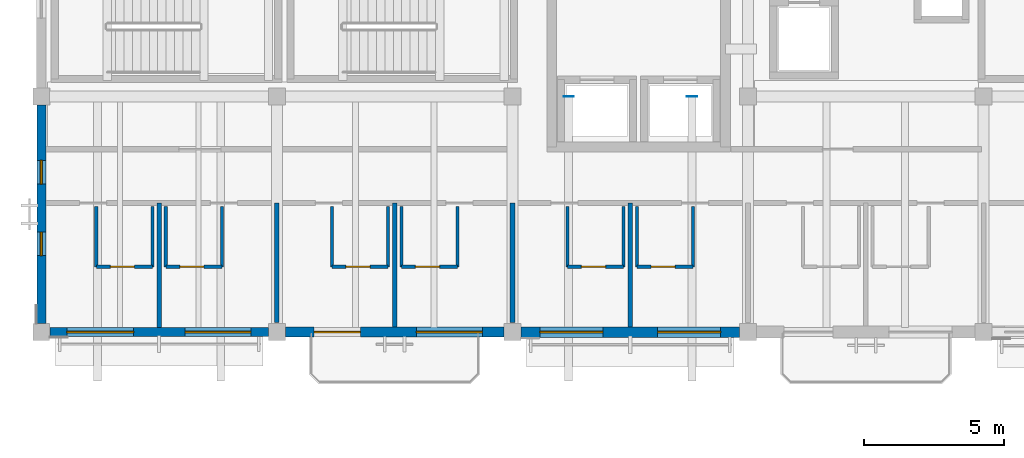
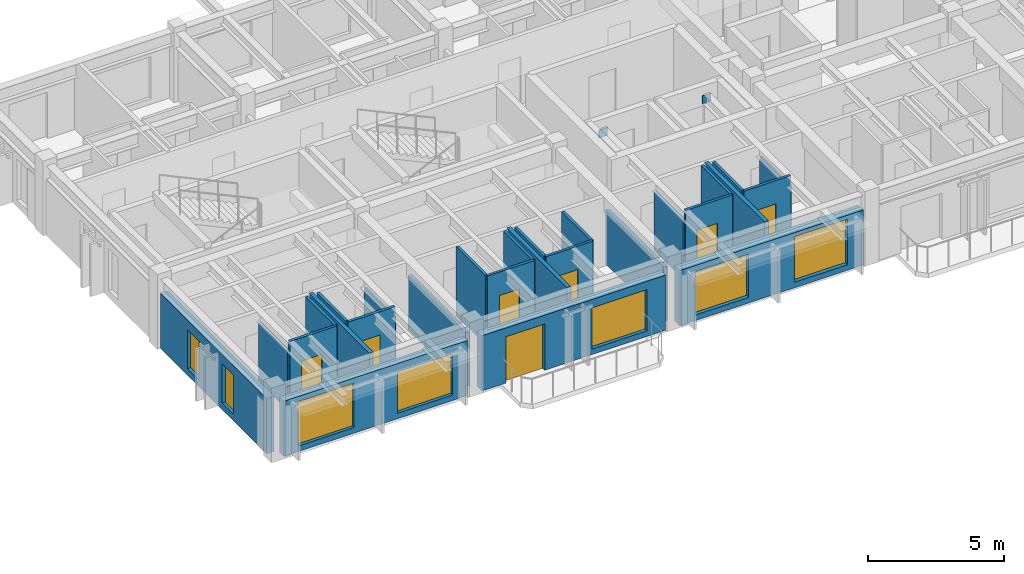
# One storey, part 12 of 31: 27 walls, 7 doors, 7 windows, 2 plates, 14 openings.
"""IFC4 building model written with IfcOpenShell, lengths in metres."""

from ifc_helpers import new_model, si_unit, direction, frame, frame_2d, origin, origin_2d, place, context, subcontext, project, spatial, rectangle, extrude, material, layer, layer_set, type_object, element, fill, save


model = new_model("IFC4")

# Units and contexts
model_context = context("Model", 3, precision=1e-05, world=origin(), true_north=direction((0.0, 1.0)))
body_context = subcontext(model_context, "Body", "Model", "MODEL_VIEW")
ifc_project = project(units=[si_unit("LENGTHUNIT", "METRE"), si_unit("AREAUNIT", "SQUARE_METRE"), si_unit("VOLUMEUNIT", "CUBIC_METRE"), si_unit("PLANEANGLEUNIT", "RADIAN"), si_unit("MASSUNIT", "GRAM", prefix="KILO")], contexts=[model_context])

# Site, building, storey
site_placement = place(None, origin())
site = spatial("IfcSite", under=ifc_project, at=site_placement, CompositionType="ELEMENT")
building_placement = place(site_placement, origin())
building = spatial("IfcBuilding", under=site, at=building_placement, Name="Cumbredor Promenade Congress Hotel", CompositionType="ELEMENT")
storey_placement = place(building_placement, frame((0.0, 0.0, 31.919921875)))
storey = spatial("IfcBuildingStorey", under=building, at=storey_placement, Name="L09", CompositionType="ELEMENT", Elevation=31.919921875)

# Plates
ifc_material_1 = material(Name="Steel ASTM A572 Grade 50", Category="steel")
ifc_layer_1 = layer(ifc_material_1, 0.028076171875, Name="Steel ASTM A572 Grade 50", Category="steel")
ifc_layer_set_1 = layer_set([ifc_layer_1], Name="Steel ASTM A572 Grade 50")
plate_type = type_object("IfcPlateType", Name="Space Frame Node Assembly ND-03", PredefinedType="USERDEFINED", material=ifc_layer_set_1)
for number, where, z_axis, x_axis, name in (
    (1, (27.199951171875, 100.800048828125, 2.6884765625), (0.0, 0.0, 1.0), (1.0, 0.0, 0.0), "L09 Outrigger Core Wall Embed Plate 062.1"),
    (2, (31.60009765625, 100.800048828125, 2.6884765625), (0.0, 0.0, 1.0), (1.0, 0.0, 0.0), "L09 Outrigger Core Wall Embed Plate 062.2"),
):
    element("IfcPlate", number, at=place(storey_placement, frame(where, z_axis=z_axis, x_axis=x_axis)), inside=storey, type_object=plate_type, Name=name, ObjectType="GUSSET PLATE", PredefinedType="USERDEFINED", context=body_context, shape_type="SweptSolid", body=[
        extrude(rectangle(XDim=0.360107421875, YDim=0.028076171875, at=origin_2d()), origin(), (0.0, 0.0, 1.0), 0.360107421875),
    ])

# Wall, opening, door
ifc_material_2 = material(Name="Moisture-resistant gypsum board on steel studs", Category="steel")
ifc_layer_2 = layer(ifc_material_2, 0.114990234375, Name="Moisture-resistant gypsum board on steel studs", Category="steel")
ifc_layer_set_2 = layer_set([ifc_layer_2], Name="Moisture-resistant gypsum board on steel studs")
wall_type_1 = type_object("IfcWallType", Name="WL-BATH-115", PredefinedType="PARTITIONING", material=ifc_layer_set_2)
wall_1_placement = place(storey_placement, frame((10.360107421875, 94.72998046875, 0.0), z_axis=(0.0, 0.0, 1.0), x_axis=(1.0, 0.0, 0.0)))
wall_1 = element("IfcWall", 3, at=wall_1_placement, inside=storey, type_object=wall_type_1, Name="L09 Interior Partition W-L09-BH-0971", PredefinedType="PARTITIONING", context=body_context, shape_type="SweptSolid", body=[
    extrude(rectangle(XDim=2.0, YDim=0.114990234375, at=frame_2d((1.0, 0.0))), origin(), (0.0, 0.0, 1.0), 3.10009765625),
])
opening_1_placement = place(wall_1_placement, frame((0.5, 0.0, 0.0)))
opening_1 = element("IfcOpeningElement", 4, at=opening_1_placement, cuts=wall_1, Name="Opening ID-01", PredefinedType="OPENING", context=body_context, shape_type="SweptSolid", body=[
    extrude(rectangle(XDim=0.860107421875, YDim=2.050048828125, at=frame_2d((0.43017578125, 1.02490234375))), frame((0.0, 0.0673828125, 0.0), z_axis=(0.0, -1.0, 0.0), x_axis=(1.0, 0.0, 0.0)), (0.0, 0.0, 1.0), 0.135009765625),
])
ifc_material_3 = material(Name="Kiln-dried tropical hardwood", Category="wood")
door_type_1 = type_object("IfcDoorType", Name="DR-BATH-860", OperationType="NOTDEFINED", PredefinedType="DOOR", material=ifc_material_3)
door_1_placement = place(opening_1_placement, origin())
door_1 = element("IfcDoor", 5, at=door_1_placement, inside=storey, type_object=door_type_1, Name="L09 Interior Door W-L09-BH-0971-01", OperationType="SINGLE_SWING_RIGHT", OverallHeight=2.050048828125, OverallWidth=0.860107421875, PredefinedType="DOOR", context=body_context, shape_type="SweptSolid", body=[
    extrude(rectangle(XDim=0.860107421875, YDim=2.050048828125, at=frame_2d((0.43017578125, 1.02490234375))), frame((0.0, 0.02490234375, 0.0), z_axis=(0.0, -1.0, 0.0), x_axis=(1.0, 0.0, 0.0)), (0.0, 0.0, 1.0), 0.050048828125),
])
fill(opening_1, door_1)

# Walls
wall_2_placement = place(storey_placement, frame((10.360107421875, 94.72998046875, 0.0), z_axis=(0.0, 0.0, 1.0), x_axis=(0.0, 1.0, 0.0)))
element("IfcWall", 6, at=wall_2_placement, inside=storey, type_object=wall_type_1, Name="L09 Interior Partition W-L09-BV1-0971", PredefinedType="PARTITIONING", context=body_context, shape_type="SweptSolid", body=[
    extrude(rectangle(XDim=2.14990234375, YDim=0.114990234375, at=frame_2d((1.074951171875, 0.0))), origin(), (0.0, 0.0, 1.0), 2.6220703125),
])
wall_3_placement = place(storey_placement, frame((12.360107421875, 94.72998046875, 0.0), z_axis=(0.0, 0.0, 1.0), x_axis=(0.0, 1.0, 0.0)))
element("IfcWall", 7, at=wall_3_placement, inside=storey, type_object=wall_type_1, Name="L09 Interior Partition W-L09-BV2-0971", PredefinedType="PARTITIONING", context=body_context, shape_type="SweptSolid", body=[
    extrude(rectangle(XDim=2.14990234375, YDim=0.114990234375, at=frame_2d((1.074951171875, 0.0))), origin(), (0.0, 0.0, 1.0), 3.10009765625),
])

# Wall, opening, door
wall_4_placement = place(storey_placement, frame((12.840087890625, 94.72998046875, 0.0), z_axis=(0.0, 0.0, 1.0), x_axis=(1.0, 0.0, 0.0)))
wall_4 = element("IfcWall", 8, at=wall_4_placement, inside=storey, type_object=wall_type_1, Name="L09 Interior Partition W-L09-BH-0972", PredefinedType="PARTITIONING", context=body_context, shape_type="SweptSolid", body=[
    extrude(rectangle(XDim=2.0, YDim=0.114990234375, at=frame_2d((1.0, 0.0))), origin(), (0.0, 0.0, 1.0), 3.10009765625),
])
opening_2_placement = place(wall_4_placement, frame((0.5, 0.0, 0.0)))
opening_2 = element("IfcOpeningElement", 9, at=opening_2_placement, cuts=wall_4, Name="Opening ID-01", PredefinedType="OPENING", context=body_context, shape_type="SweptSolid", body=[
    extrude(rectangle(XDim=0.860107421875, YDim=2.050048828125, at=frame_2d((0.43017578125, 1.02490234375))), frame((0.0, 0.0673828125, 0.0), z_axis=(0.0, -1.0, 0.0), x_axis=(1.0, 0.0, 0.0)), (0.0, 0.0, 1.0), 0.135009765625),
])
door_2_placement = place(opening_2_placement, origin())
door_2 = element("IfcDoor", 10, at=door_2_placement, inside=storey, type_object=door_type_1, Name="L09 Interior Door W-L09-BH-0972-01", OperationType="SINGLE_SWING_LEFT", OverallHeight=2.050048828125, OverallWidth=0.860107421875, PredefinedType="DOOR", context=body_context, shape_type="SweptSolid", body=[
    extrude(rectangle(XDim=0.860107421875, YDim=2.050048828125, at=frame_2d((0.43017578125, 1.02490234375))), frame((0.0, 0.02490234375, 0.0), z_axis=(0.0, -1.0, 0.0), x_axis=(1.0, 0.0, 0.0)), (0.0, 0.0, 1.0), 0.050048828125),
])
fill(opening_2, door_2)

# Walls
wall_5_placement = place(storey_placement, frame((12.840087890625, 94.72998046875, 0.0), z_axis=(0.0, 0.0, 1.0), x_axis=(0.0, 1.0, 0.0)))
element("IfcWall", 11, at=wall_5_placement, inside=storey, type_object=wall_type_1, Name="L09 Interior Partition W-L09-BV1-0972", PredefinedType="PARTITIONING", context=body_context, shape_type="SweptSolid", body=[
    extrude(rectangle(XDim=2.14990234375, YDim=0.114990234375, at=frame_2d((1.074951171875, 0.0))), origin(), (0.0, 0.0, 1.0), 3.10009765625),
])
wall_6_placement = place(storey_placement, frame((14.840087890625, 94.72998046875, 0.0), z_axis=(0.0, 0.0, 1.0), x_axis=(0.0, 1.0, 0.0)))
element("IfcWall", 12, at=wall_6_placement, inside=storey, type_object=wall_type_1, Name="L09 Interior Partition W-L09-BV2-0972", PredefinedType="PARTITIONING", context=body_context, shape_type="SweptSolid", body=[
    extrude(rectangle(XDim=2.14990234375, YDim=0.114990234375, at=frame_2d((1.074951171875, 0.0))), origin(), (0.0, 0.0, 1.0), 2.6220703125),
])

# Wall, opening, door
wall_7_placement = place(storey_placement, frame((18.760009765625, 94.72998046875, 0.0), z_axis=(0.0, 0.0, 1.0), x_axis=(1.0, 0.0, 0.0)))
wall_7 = element("IfcWall", 13, at=wall_7_placement, inside=storey, type_object=wall_type_1, Name="L09 Interior Partition W-L09-BH-0973", PredefinedType="PARTITIONING", context=body_context, shape_type="SweptSolid", body=[
    extrude(rectangle(XDim=2.0, YDim=0.114990234375, at=frame_2d((1.0, 0.0))), origin(), (0.0, 0.0, 1.0), 3.10009765625),
])
opening_3_placement = place(wall_7_placement, frame((0.5, 0.0, 0.0)))
opening_3 = element("IfcOpeningElement", 14, at=opening_3_placement, cuts=wall_7, Name="Opening ID-01", PredefinedType="OPENING", context=body_context, shape_type="SweptSolid", body=[
    extrude(rectangle(XDim=0.860107421875, YDim=2.050048828125, at=frame_2d((0.43017578125, 1.02490234375))), frame((0.0, 0.0673828125, 0.0), z_axis=(0.0, -1.0, 0.0), x_axis=(1.0, 0.0, 0.0)), (0.0, 0.0, 1.0), 0.135009765625),
])
door_3_placement = place(opening_3_placement, origin())
door_3 = element("IfcDoor", 15, at=door_3_placement, inside=storey, type_object=door_type_1, Name="L09 Interior Door W-L09-BH-0973-01", OperationType="SINGLE_SWING_RIGHT", OverallHeight=2.050048828125, OverallWidth=0.860107421875, PredefinedType="DOOR", context=body_context, shape_type="SweptSolid", body=[
    extrude(rectangle(XDim=0.860107421875, YDim=2.050048828125, at=frame_2d((0.43017578125, 1.02490234375))), frame((0.0, 0.02490234375, 0.0), z_axis=(0.0, -1.0, 0.0), x_axis=(1.0, 0.0, 0.0)), (0.0, 0.0, 1.0), 0.050048828125),
])
fill(opening_3, door_3)

# Walls
for number, where, z_axis, x_axis, name in (
    (16, (18.760009765625, 94.72998046875, 0.0), (0.0, 0.0, 1.0), (0.0, 1.0, 0.0), "L09 Interior Partition W-L09-BV1-0973"),
    (17, (20.760009765625, 94.72998046875, 0.0), (0.0, 0.0, 1.0), (0.0, 1.0, 0.0), "L09 Interior Partition W-L09-BV2-0973"),
):
    element("IfcWall", number, at=place(storey_placement, frame(where, z_axis=z_axis, x_axis=x_axis)), inside=storey, type_object=wall_type_1, Name=name, PredefinedType="PARTITIONING", context=body_context, shape_type="SweptSolid", body=[
        extrude(rectangle(XDim=2.14990234375, YDim=0.114990234375, at=frame_2d((1.074951171875, 0.0))), origin(), (0.0, 0.0, 1.0), 3.10009765625),
    ])

# Wall, opening, door
wall_8_placement = place(storey_placement, frame((21.239990234375, 94.72998046875, 0.0), z_axis=(0.0, 0.0, 1.0), x_axis=(1.0, 0.0, 0.0)))
wall_8 = element("IfcWall", 18, at=wall_8_placement, inside=storey, type_object=wall_type_1, Name="L09 Interior Partition W-L09-BH-0974", PredefinedType="PARTITIONING", context=body_context, shape_type="SweptSolid", body=[
    extrude(rectangle(XDim=2.0, YDim=0.114990234375, at=frame_2d((1.0, 0.0))), origin(), (0.0, 0.0, 1.0), 3.10009765625),
])
opening_4_placement = place(wall_8_placement, frame((0.5, 0.0, 0.0)))
opening_4 = element("IfcOpeningElement", 19, at=opening_4_placement, cuts=wall_8, Name="Opening ID-01", PredefinedType="OPENING", context=body_context, shape_type="SweptSolid", body=[
    extrude(rectangle(XDim=0.860107421875, YDim=2.050048828125, at=frame_2d((0.43017578125, 1.02490234375))), frame((0.0, 0.0673828125, 0.0), z_axis=(0.0, -1.0, 0.0), x_axis=(1.0, 0.0, 0.0)), (0.0, 0.0, 1.0), 0.135009765625),
])
door_4_placement = place(opening_4_placement, origin())
door_4 = element("IfcDoor", 20, at=door_4_placement, inside=storey, type_object=door_type_1, Name="L09 Interior Door W-L09-BH-0974-01", OperationType="SINGLE_SWING_LEFT", OverallHeight=2.050048828125, OverallWidth=0.860107421875, PredefinedType="DOOR", context=body_context, shape_type="SweptSolid", body=[
    extrude(rectangle(XDim=0.860107421875, YDim=2.050048828125, at=frame_2d((0.43017578125, 1.02490234375))), frame((0.0, 0.02490234375, 0.0), z_axis=(0.0, -1.0, 0.0), x_axis=(1.0, 0.0, 0.0)), (0.0, 0.0, 1.0), 0.050048828125),
])
fill(opening_4, door_4)

# Walls
for number, where, z_axis, x_axis, name in (
    (21, (21.239990234375, 94.72998046875, 0.0), (0.0, 0.0, 1.0), (0.0, 1.0, 0.0), "L09 Interior Partition W-L09-BV1-0974"),
    (22, (23.239990234375, 94.72998046875, 0.0), (0.0, 0.0, 1.0), (0.0, 1.0, 0.0), "L09 Interior Partition W-L09-BV2-0974"),
):
    element("IfcWall", number, at=place(storey_placement, frame(where, z_axis=z_axis, x_axis=x_axis)), inside=storey, type_object=wall_type_1, Name=name, PredefinedType="PARTITIONING", context=body_context, shape_type="SweptSolid", body=[
        extrude(rectangle(XDim=2.14990234375, YDim=0.114990234375, at=frame_2d((1.074951171875, 0.0))), origin(), (0.0, 0.0, 1.0), 3.10009765625),
    ])

# Wall, opening, door
wall_9_placement = place(storey_placement, frame((27.159912109375, 94.72998046875, 0.0), z_axis=(0.0, 0.0, 1.0), x_axis=(1.0, 0.0, 0.0)))
wall_9 = element("IfcWall", 23, at=wall_9_placement, inside=storey, type_object=wall_type_1, Name="L09 Interior Partition W-L09-BH-0975", PredefinedType="PARTITIONING", context=body_context, shape_type="SweptSolid", body=[
    extrude(rectangle(XDim=2.0, YDim=0.114990234375, at=frame_2d((1.0, 0.0))), origin(), (0.0, 0.0, 1.0), 3.10009765625),
])
opening_5_placement = place(wall_9_placement, frame((0.5, 0.0, 0.0)))
opening_5 = element("IfcOpeningElement", 24, at=opening_5_placement, cuts=wall_9, Name="Opening ID-01", PredefinedType="OPENING", context=body_context, shape_type="SweptSolid", body=[
    extrude(rectangle(XDim=0.860107421875, YDim=2.050048828125, at=frame_2d((0.43017578125, 1.02490234375))), frame((0.0, 0.0673828125, 0.0), z_axis=(0.0, -1.0, 0.0), x_axis=(1.0, 0.0, 0.0)), (0.0, 0.0, 1.0), 0.135009765625),
])
door_5_placement = place(opening_5_placement, origin())
door_5 = element("IfcDoor", 25, at=door_5_placement, inside=storey, type_object=door_type_1, Name="L09 Interior Door W-L09-BH-0975-01", OperationType="SINGLE_SWING_RIGHT", OverallHeight=2.050048828125, OverallWidth=0.860107421875, PredefinedType="DOOR", context=body_context, shape_type="SweptSolid", body=[
    extrude(rectangle(XDim=0.860107421875, YDim=2.050048828125, at=frame_2d((0.43017578125, 1.02490234375))), frame((0.0, 0.02490234375, 0.0), z_axis=(0.0, -1.0, 0.0), x_axis=(1.0, 0.0, 0.0)), (0.0, 0.0, 1.0), 0.050048828125),
])
fill(opening_5, door_5)

# Walls
wall_10_placement = place(storey_placement, frame((27.159912109375, 94.72998046875, 0.0), z_axis=(0.0, 0.0, 1.0), x_axis=(0.0, 1.0, 0.0)))
element("IfcWall", 26, at=wall_10_placement, inside=storey, type_object=wall_type_1, Name="L09 Interior Partition W-L09-BV1-0975", PredefinedType="PARTITIONING", context=body_context, shape_type="SweptSolid", body=[
    extrude(rectangle(XDim=2.14990234375, YDim=0.114990234375, at=frame_2d((1.074951171875, 0.0))), origin(), (0.0, 0.0, 1.0), 2.6220703125),
])
wall_11_placement = place(storey_placement, frame((29.159912109375, 94.72998046875, 0.0), z_axis=(0.0, 0.0, 1.0), x_axis=(0.0, 1.0, 0.0)))
element("IfcWall", 27, at=wall_11_placement, inside=storey, type_object=wall_type_1, Name="L09 Interior Partition W-L09-BV2-0975", PredefinedType="PARTITIONING", context=body_context, shape_type="SweptSolid", body=[
    extrude(rectangle(XDim=2.14990234375, YDim=0.114990234375, at=frame_2d((1.074951171875, 0.0))), origin(), (0.0, 0.0, 1.0), 3.10009765625),
])

# Wall, opening, door
wall_12_placement = place(storey_placement, frame((29.639892578125, 94.72998046875, 0.0), z_axis=(0.0, 0.0, 1.0), x_axis=(1.0, 0.0, 0.0)))
wall_12 = element("IfcWall", 28, at=wall_12_placement, inside=storey, type_object=wall_type_1, Name="L09 Interior Partition W-L09-BH-0976", PredefinedType="PARTITIONING", context=body_context, shape_type="SweptSolid", body=[
    extrude(rectangle(XDim=2.0, YDim=0.114990234375, at=frame_2d((1.0, 0.0))), origin(), (0.0, 0.0, 1.0), 3.10009765625),
])
opening_6_placement = place(wall_12_placement, frame((0.5, 0.0, 0.0)))
opening_6 = element("IfcOpeningElement", 29, at=opening_6_placement, cuts=wall_12, Name="Opening ID-01", PredefinedType="OPENING", context=body_context, shape_type="SweptSolid", body=[
    extrude(rectangle(XDim=0.860107421875, YDim=2.050048828125, at=frame_2d((0.43017578125, 1.02490234375))), frame((0.0, 0.0673828125, 0.0), z_axis=(0.0, -1.0, 0.0), x_axis=(1.0, 0.0, 0.0)), (0.0, 0.0, 1.0), 0.135009765625),
])
door_6_placement = place(opening_6_placement, origin())
door_6 = element("IfcDoor", 30, at=door_6_placement, inside=storey, type_object=door_type_1, Name="L09 Interior Door W-L09-BH-0976-01", OperationType="SINGLE_SWING_LEFT", OverallHeight=2.050048828125, OverallWidth=0.860107421875, PredefinedType="DOOR", context=body_context, shape_type="SweptSolid", body=[
    extrude(rectangle(XDim=0.860107421875, YDim=2.050048828125, at=frame_2d((0.43017578125, 1.02490234375))), frame((0.0, 0.02490234375, 0.0), z_axis=(0.0, -1.0, 0.0), x_axis=(1.0, 0.0, 0.0)), (0.0, 0.0, 1.0), 0.050048828125),
])
fill(opening_6, door_6)

# Walls
wall_13_placement = place(storey_placement, frame((29.639892578125, 94.72998046875, 0.0), z_axis=(0.0, 0.0, 1.0), x_axis=(0.0, 1.0, 0.0)))
element("IfcWall", 31, at=wall_13_placement, inside=storey, type_object=wall_type_1, Name="L09 Interior Partition W-L09-BV1-0976", PredefinedType="PARTITIONING", context=body_context, shape_type="SweptSolid", body=[
    extrude(rectangle(XDim=2.14990234375, YDim=0.114990234375, at=frame_2d((1.074951171875, 0.0))), origin(), (0.0, 0.0, 1.0), 3.10009765625),
])
wall_14_placement = place(storey_placement, frame((31.639892578125, 94.72998046875, 0.0), z_axis=(0.0, 0.0, 1.0), x_axis=(0.0, 1.0, 0.0)))
element("IfcWall", 32, at=wall_14_placement, inside=storey, type_object=wall_type_1, Name="L09 Interior Partition W-L09-BV2-0976", PredefinedType="PARTITIONING", context=body_context, shape_type="SweptSolid", body=[
    extrude(rectangle(XDim=2.14990234375, YDim=0.114990234375, at=frame_2d((1.074951171875, 0.0))), origin(), (0.0, 0.0, 1.0), 2.6220703125),
])

# Wall, openings, windows
ifc_material_4 = material(Name="Concrete C40/50", Category="concrete")
ifc_layer_3 = layer(ifc_material_4, 0.324951171875, Name="Concrete C40/50", Category="concrete")
ifc_layer_set_3 = layer_set([ifc_layer_3], Name="Concrete C40/50")
wall_type_2 = type_object("IfcWallType", Name="WL-EXT-325", PredefinedType="SOLIDWALL", material=ifc_layer_set_3)
wall_15_placement = place(storey_placement, frame((8.700927734375, 92.39990234375, 0.0), z_axis=(0.0, 0.0, 1.0), x_axis=(1.0, 0.0, 0.0)))
wall_15 = element("IfcWall", 33, at=wall_15_placement, inside=storey, type_object=wall_type_2, Name="L09 Stepped Congress Hotel Wing South Envelope Wall 1", PredefinedType="SOLIDWALL", context=body_context, shape_type="SweptSolid", body=[
    extrude(rectangle(XDim=7.798095703125, YDim=0.324951171875, at=frame_2d((3.89892578125, 0.0))), origin(), (0.0, 0.0, 1.0), 2.47412109375),
])
opening_7_placement = place(wall_15_placement, frame((0.60888671875, 0.0, 0.25)))
opening_7 = element("IfcOpeningElement", 34, at=opening_7_placement, cuts=wall_15, Name="Opening WN-41", PredefinedType="OPENING", context=body_context, shape_type="SweptSolid", body=[
    extrude(rectangle(XDim=2.3798828125, YDim=2.0, at=frame_2d((1.18994140625, 1.0))), frame((0.0, 0.17236328125, 0.0), z_axis=(0.0, -1.0, 0.0), x_axis=(1.0, 0.0, 0.0)), (0.0, 0.0, 1.0), 0.344970703125),
])
opening_8_placement = place(wall_15_placement, frame((4.823974609375, 0.0, 0.25)))
opening_8 = element("IfcOpeningElement", 35, at=opening_8_placement, cuts=wall_15, Name="Opening WN-02", PredefinedType="OPENING", context=body_context, shape_type="SweptSolid", body=[
    extrude(rectangle(XDim=2.35009765625, YDim=1.85009765625, at=frame_2d((1.175048828125, 0.925048828125))), frame((0.0, 0.17236328125, 0.0), z_axis=(0.0, -1.0, 0.0), x_axis=(1.0, 0.0, 0.0)), (0.0, 0.0, 1.0), 0.344970703125),
])
ifc_material_5 = material(Name="Thermally broken anodized aluminium and low-E glass", Category="aluminium")
window_type_1 = type_object("IfcWindowType", Name="Hospitality Floor-to-Ceiling Window WN-02 2350x1850", PartitioningType="DOUBLE_PANEL_VERTICAL", PredefinedType="WINDOW", material=ifc_material_5)
window_1_placement = place(opening_8_placement, origin())
window_1 = element("IfcWindow", 36, at=window_1_placement, inside=storey, type_object=window_type_1, Name="L09 Wide Hospitality Window 0680", OverallHeight=1.85009765625, OverallWidth=2.35009765625, PartitioningType="DOUBLE_PANEL_VERTICAL", PredefinedType="WINDOW", context=body_context, shape_type="SweptSolid", body=[
    extrude(rectangle(XDim=2.35009765625, YDim=1.85009765625, at=frame_2d((1.175048828125, 0.925048828125))), frame((0.0, 0.030029296875, 0.0), z_axis=(0.0, -1.0, 0.0), x_axis=(1.0, 0.0, 0.0)), (0.0, 0.0, 1.0), 0.06005859375),
])
fill(opening_8, window_1)
window_type_2 = type_object("IfcWindowType", Name="Hospitality Floor-to-Ceiling Window WN-41 2380x2000", PartitioningType="DOUBLE_PANEL_VERTICAL", PredefinedType="WINDOW", material=ifc_material_5)
window_2_placement = place(opening_7_placement, origin())
window_2 = element("IfcWindow", 37, at=window_2_placement, inside=storey, type_object=window_type_2, Name="L09 Wide Hospitality Window 0679", OverallHeight=2.0, OverallWidth=2.3798828125, PartitioningType="DOUBLE_PANEL_VERTICAL", PredefinedType="WINDOW", context=body_context, shape_type="SweptSolid", body=[
    extrude(rectangle(XDim=2.3798828125, YDim=2.0, at=frame_2d((1.18994140625, 1.0))), frame((0.0, 0.030029296875, 0.0), z_axis=(0.0, -1.0, 0.0), x_axis=(1.0, 0.0, 0.0)), (0.0, 0.0, 1.0), 0.06005859375),
])
fill(opening_7, window_2)

wall_16_placement = place(storey_placement, frame((8.39990234375, 92.700927734375, 0.0), z_axis=(0.0, 0.0, 1.0), x_axis=(0.0, 1.0, 0.0)))
wall_16 = element("IfcWall", 38, at=wall_16_placement, inside=storey, type_object=wall_type_2, Name="L09 Stepped Congress Hotel Wing West Envelope Wall 1", PredefinedType="SOLIDWALL", context=body_context, shape_type="SweptSolid", body=[
    extrude(rectangle(XDim=7.798095703125, YDim=0.324951171875, at=frame_2d((3.89892578125, 0.0))), origin(), (0.0, 0.0, 1.0), 2.47412109375),
])
opening_9_placement = place(wall_16_placement, frame((2.428955078125, 0.0, 0.300048828125)))
opening_9 = element("IfcOpeningElement", 39, at=opening_9_placement, cuts=wall_16, Name="Opening WN-62", PredefinedType="OPENING", context=body_context, shape_type="SweptSolid", body=[
    extrude(rectangle(XDim=0.840087890625, YDim=1.75, at=frame_2d((0.419921875, 0.875))), frame((0.0, 0.17236328125, 0.0), z_axis=(0.0, -1.0, 0.0), x_axis=(1.0, 0.0, 0.0)), (0.0, 0.0, 1.0), 0.344970703125),
])
opening_10_placement = place(wall_16_placement, frame((4.97900390625, 0.0, 0.300048828125)))
opening_10 = element("IfcOpeningElement", 40, at=opening_10_placement, cuts=wall_16, Name="Opening WN-62", PredefinedType="OPENING", context=body_context, shape_type="SweptSolid", body=[
    extrude(rectangle(XDim=0.840087890625, YDim=1.75, at=frame_2d((0.419921875, 0.875))), frame((0.0, 0.17236328125, 0.0), z_axis=(0.0, -1.0, 0.0), x_axis=(1.0, 0.0, 0.0)), (0.0, 0.0, 1.0), 0.344970703125),
])
window_type_3 = type_object("IfcWindowType", Name="Vertical Slot Window WN-62 840x1750", PartitioningType="SINGLE_PANEL", PredefinedType="WINDOW", material=ifc_material_5)
window_3_placement = place(opening_9_placement, origin())
window_3 = element("IfcWindow", 41, at=window_3_placement, inside=storey, type_object=window_type_3, Name="L09 Vertical Slot Window 0698", OverallHeight=1.75, OverallWidth=0.840087890625, PartitioningType="SINGLE_PANEL", PredefinedType="WINDOW", context=body_context, shape_type="SweptSolid", body=[
    extrude(rectangle(XDim=0.840087890625, YDim=1.75, at=frame_2d((0.419921875, 0.875))), frame((0.0, 0.030029296875, 0.0), z_axis=(0.0, -1.0, 0.0), x_axis=(1.0, 0.0, 0.0)), (0.0, 0.0, 1.0), 0.06005859375),
])
fill(opening_9, window_3)
window_4_placement = place(opening_10_placement, origin())
window_4 = element("IfcWindow", 42, at=window_4_placement, inside=storey, type_object=window_type_3, Name="L09 Vertical Slot Window 0699", OverallHeight=1.75, OverallWidth=0.840087890625, PartitioningType="SINGLE_PANEL", PredefinedType="WINDOW", context=body_context, shape_type="SweptSolid", body=[
    extrude(rectangle(XDim=0.840087890625, YDim=1.75, at=frame_2d((0.419921875, 0.875))), frame((0.0, 0.030029296875, 0.0), z_axis=(0.0, -1.0, 0.0), x_axis=(1.0, 0.0, 0.0)), (0.0, 0.0, 1.0), 0.06005859375),
])
fill(opening_10, window_4)

# Wall, openings, door, window
ifc_layer_4 = layer(ifc_material_4, 0.35009765625, Name="Concrete C40/50", Category="concrete")
ifc_layer_set_4 = layer_set([ifc_layer_4], Name="Concrete C40/50")
wall_type_3 = type_object("IfcWallType", Name="WL-EXT-350", PredefinedType="SOLIDWALL", material=ifc_layer_set_4)
wall_17_placement = place(storey_placement, frame((17.10107421875, 92.39990234375, 0.0), z_axis=(0.0, 0.0, 1.0), x_axis=(1.0, 0.0, 0.0)))
wall_17 = element("IfcWall", 43, at=wall_17_placement, inside=storey, type_object=wall_type_3, Name="L09 Stepped Congress Hotel Wing South Envelope Wall 2", PredefinedType="SOLIDWALL", context=body_context, shape_type="SweptSolid", body=[
    extrude(rectangle(XDim=7.7978515625, YDim=0.35009765625, at=frame_2d((3.89892578125, 0.0))), origin(), (0.0, 0.0, 1.0), 2.47412109375),
])
opening_11_placement = place(wall_17_placement, frame((1.02392578125, 0.0, 0.0)))
opening_11 = element("IfcOpeningElement", 44, at=opening_11_placement, cuts=wall_17, Name="Opening TD-02", PredefinedType="OPENING", context=body_context, shape_type="SweptSolid", body=[
    extrude(rectangle(XDim=1.64990234375, YDim=2.080078125, at=frame_2d((0.824951171875, 1.0400390625))), frame((0.0, 0.18505859375, 0.0), z_axis=(0.0, -1.0, 0.0), x_axis=(1.0, 0.0, 0.0)), (0.0, 0.0, 1.0), 0.3701171875),
])
opening_12_placement = place(wall_17_placement, frame((4.674072265625, 0.0, 0.25)))
opening_12 = element("IfcOpeningElement", 45, at=opening_12_placement, cuts=wall_17, Name="Opening WN-02", PredefinedType="OPENING", context=body_context, shape_type="SweptSolid", body=[
    extrude(rectangle(XDim=2.35009765625, YDim=1.85009765625, at=frame_2d((1.175048828125, 0.925048828125))), frame((0.0, 0.18505859375, 0.0), z_axis=(0.0, -1.0, 0.0), x_axis=(1.0, 0.0, 0.0)), (0.0, 0.0, 1.0), 0.3701171875),
])
ifc_material_6 = material(Name="Thermally broken anodized aluminium and laminated safety glass", Category="aluminium")
door_type_2 = type_object("IfcDoorType", Name="EXT-DR-TER-1650x2080", OperationType="DOUBLE_DOOR_SINGLE_SWING", PredefinedType="DOOR", material=ifc_material_6)
door_7_placement = place(opening_11_placement, frame((1.64990234375, 0.0, 0.0), z_axis=(0.0, 0.0, 1.0), x_axis=(-1.0, 0.0, 0.0)))
door_7 = element("IfcDoor", 46, at=door_7_placement, inside=storey, type_object=door_type_2, Name="L09 Guestroom Veranda Balcony Door 088", OperationType="DOUBLE_DOOR_SINGLE_SWING", OverallHeight=2.080078125, OverallWidth=1.64990234375, PredefinedType="DOOR", context=body_context, shape_type="SweptSolid", body=[
    extrude(rectangle(XDim=1.64990234375, YDim=2.080078125, at=frame_2d((0.824951171875, 1.0400390625))), frame((0.0, 0.02490234375, 0.0), z_axis=(0.0, -1.0, 0.0), x_axis=(1.0, 0.0, 0.0)), (0.0, 0.0, 1.0), 0.050048828125),
])
fill(opening_11, door_7)
window_5_placement = place(opening_12_placement, origin())
window_5 = element("IfcWindow", 47, at=window_5_placement, inside=storey, type_object=window_type_1, Name="L09 Veranda Companion Floor-to-Ceiling Window 0681", OverallHeight=1.85009765625, OverallWidth=2.35009765625, PartitioningType="DOUBLE_PANEL_VERTICAL", PredefinedType="WINDOW", context=body_context, shape_type="SweptSolid", body=[
    extrude(rectangle(XDim=2.35009765625, YDim=1.85009765625, at=frame_2d((1.175048828125, 0.925048828125))), frame((0.0, 0.030029296875, 0.0), z_axis=(0.0, -1.0, 0.0), x_axis=(1.0, 0.0, 0.0)), (0.0, 0.0, 1.0), 0.06005859375),
])
fill(opening_12, window_5)

# Wall, openings, windows
ifc_layer_5 = layer(ifc_material_4, 0.3798828125, Name="Concrete C40/50", Category="concrete")
ifc_layer_set_5 = layer_set([ifc_layer_5], Name="Concrete C40/50")
wall_type_4 = type_object("IfcWallType", Name="WL-EXT-380", PredefinedType="SOLIDWALL", material=ifc_layer_set_5)
wall_18_placement = place(storey_placement, frame((25.5009765625, 92.39990234375, 0.0), z_axis=(0.0, 0.0, 1.0), x_axis=(1.0, 0.0, 0.0)))
wall_18 = element("IfcWall", 48, at=wall_18_placement, inside=storey, type_object=wall_type_4, Name="L09 Stepped Congress Hotel Wing South Envelope Wall 3", PredefinedType="SOLIDWALL", context=body_context, shape_type="SweptSolid", body=[
    extrude(rectangle(XDim=7.798095703125, YDim=0.3798828125, at=frame_2d((3.89892578125, 0.0))), origin(), (0.0, 0.0, 1.0), 2.47412109375),
])
opening_13_placement = place(wall_18_placement, frame((0.674072265625, 0.0, 0.25)))
opening_13 = element("IfcOpeningElement", 49, at=opening_13_placement, cuts=wall_18, Name="Opening WN-07", PredefinedType="OPENING", context=body_context, shape_type="SweptSolid", body=[
    extrude(rectangle(XDim=2.25, YDim=1.949951171875, at=frame_2d((1.125, 0.97509765625))), frame((0.0, 0.199951171875, 0.0), z_axis=(0.0, -1.0, 0.0), x_axis=(1.0, 0.0, 0.0)), (0.0, 0.0, 1.0), 0.39990234375),
])
opening_14_placement = place(wall_18_placement, frame((4.8740234375, 0.0, 0.25)))
opening_14 = element("IfcOpeningElement", 50, at=opening_14_placement, cuts=wall_18, Name="Opening WN-13", PredefinedType="OPENING", context=body_context, shape_type="SweptSolid", body=[
    extrude(rectangle(XDim=2.25, YDim=2.050048828125, at=frame_2d((1.125, 1.02490234375))), frame((0.0, 0.199951171875, 0.0), z_axis=(0.0, -1.0, 0.0), x_axis=(1.0, 0.0, 0.0)), (0.0, 0.0, 1.0), 0.39990234375),
])
window_type_4 = type_object("IfcWindowType", Name="Hospitality Floor-to-Ceiling Window WN-07 2250x1950", PartitioningType="DOUBLE_PANEL_VERTICAL", PredefinedType="WINDOW", material=ifc_material_5)
window_6_placement = place(opening_13_placement, origin())
window_6 = element("IfcWindow", 51, at=window_6_placement, inside=storey, type_object=window_type_4, Name="L09 Wide Hospitality Window 0682", OverallHeight=1.949951171875, OverallWidth=2.25, PartitioningType="DOUBLE_PANEL_VERTICAL", PredefinedType="WINDOW", context=body_context, shape_type="SweptSolid", body=[
    extrude(rectangle(XDim=2.25, YDim=1.949951171875, at=frame_2d((1.125, 0.97509765625))), frame((0.0, 0.030029296875, 0.0), z_axis=(0.0, -1.0, 0.0), x_axis=(1.0, 0.0, 0.0)), (0.0, 0.0, 1.0), 0.06005859375),
])
fill(opening_13, window_6)
window_type_5 = type_object("IfcWindowType", Name="Hospitality Floor-to-Ceiling Window WN-13 2250x2050", PartitioningType="DOUBLE_PANEL_VERTICAL", PredefinedType="WINDOW", material=ifc_material_5)
window_7_placement = place(opening_14_placement, origin())
window_7 = element("IfcWindow", 52, at=window_7_placement, inside=storey, type_object=window_type_5, Name="L09 Wide Hospitality Window 0683", OverallHeight=2.050048828125, OverallWidth=2.25, PartitioningType="DOUBLE_PANEL_VERTICAL", PredefinedType="WINDOW", context=body_context, shape_type="SweptSolid", body=[
    extrude(rectangle(XDim=2.25, YDim=2.050048828125, at=frame_2d((1.125, 1.02490234375))), frame((0.0, 0.030029296875, 0.0), z_axis=(0.0, -1.0, 0.0), x_axis=(1.0, 0.0, 0.0)), (0.0, 0.0, 1.0), 0.06005859375),
])
fill(opening_14, window_7)

# Walls
ifc_material_7 = material(Name="Fire-rated acoustic double-stud partition")
ifc_layer_6 = layer(ifc_material_7, 0.1650390625, Name="Fire-rated acoustic double-stud partition")
ifc_layer_set_6 = layer_set([ifc_layer_6], Name="Fire-rated acoustic double-stud partition")
wall_type_5 = type_object("IfcWallType", Name="WL-UNIT-165", PredefinedType="PARTITIONING", material=ifc_layer_set_6)
wall_19_placement = place(storey_placement, frame((12.60009765625, 92.5625, 0.0), z_axis=(0.0, 0.0, 1.0), x_axis=(0.0, 1.0, 0.0)))
element("IfcWall", 53, at=wall_19_placement, inside=storey, type_object=wall_type_5, Name="L09 Interior Partition W-L09-SC-DIV-0-M", PredefinedType="PARTITIONING", context=body_context, shape_type="SweptSolid", body=[
    extrude(rectangle(XDim=4.4375, YDim=0.1650390625, at=frame_2d((2.21875, 0.0))), origin(), (0.0, 0.0, 1.0), 3.10009765625),
])
wall_20_placement = place(storey_placement, frame((21.0, 92.574951171875, 0.0), z_axis=(0.0, 0.0, 1.0), x_axis=(0.0, 1.0, 0.0)))
element("IfcWall", 54, at=wall_20_placement, inside=storey, type_object=wall_type_5, Name="L09 Interior Partition W-L09-SC-DIV-1-M", PredefinedType="PARTITIONING", context=body_context, shape_type="SweptSolid", body=[
    extrude(rectangle(XDim=4.425048828125, YDim=0.1650390625, at=frame_2d((2.21240234375, 0.0))), origin(), (0.0, 0.0, 1.0), 3.10009765625),
])
wall_21_placement = place(storey_placement, frame((16.800048828125, 92.75, 0.0), z_axis=(0.0, 0.0, 1.0), x_axis=(0.0, 1.0, 0.0)))
element("IfcWall", 55, at=wall_21_placement, inside=storey, type_object=wall_type_5, Name="L09 Interior Partition W-L09-SC-DIV-1-G", PredefinedType="PARTITIONING", context=body_context, shape_type="SweptSolid", body=[
    extrude(rectangle(XDim=4.25, YDim=0.1650390625, at=frame_2d((2.125, 0.0))), origin(), (0.0, 0.0, 1.0), 2.43505859375),
])
wall_22_placement = place(storey_placement, frame((29.39990234375, 92.590087890625, 0.0), z_axis=(0.0, 0.0, 1.0), x_axis=(0.0, 1.0, 0.0)))
element("IfcWall", 56, at=wall_22_placement, inside=storey, type_object=wall_type_5, Name="L09 Interior Partition W-L09-SC-DIV-2-M", PredefinedType="PARTITIONING", context=body_context, shape_type="SweptSolid", body=[
    extrude(rectangle(XDim=4.409912109375, YDim=0.1650390625, at=frame_2d((2.205078125, 0.0))), origin(), (0.0, 0.0, 1.0), 3.10009765625),
])
wall_23_placement = place(storey_placement, frame((25.199951171875, 92.75, 0.0), z_axis=(0.0, 0.0, 1.0), x_axis=(0.0, 1.0, 0.0)))
element("IfcWall", 57, at=wall_23_placement, inside=storey, type_object=wall_type_5, Name="L09 Interior Partition W-L09-SC-DIV-2-G", PredefinedType="PARTITIONING", context=body_context, shape_type="SweptSolid", body=[
    extrude(rectangle(XDim=4.25, YDim=0.1650390625, at=frame_2d((2.125, 0.0))), origin(), (0.0, 0.0, 1.0), 2.43505859375),
])

save(model, "model.ifc")
